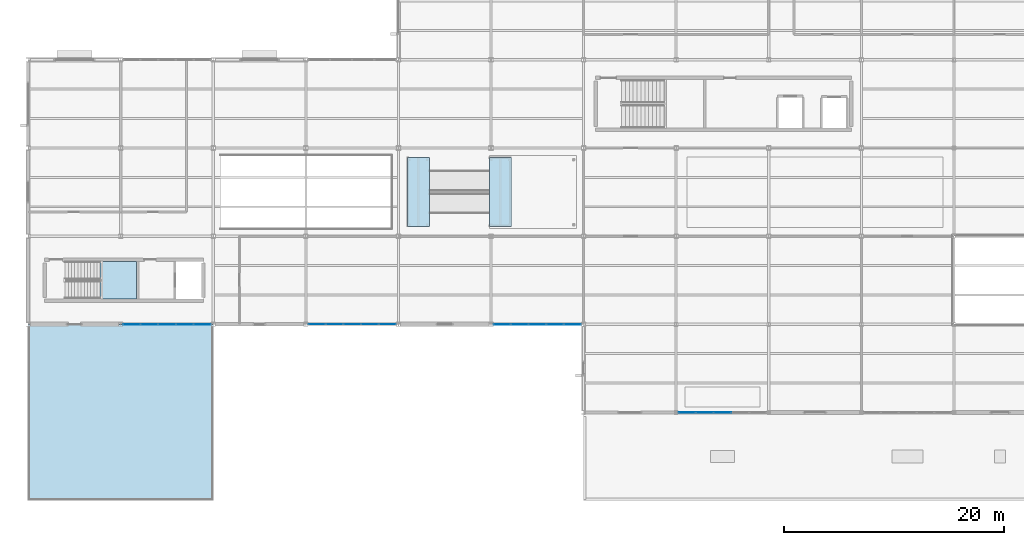
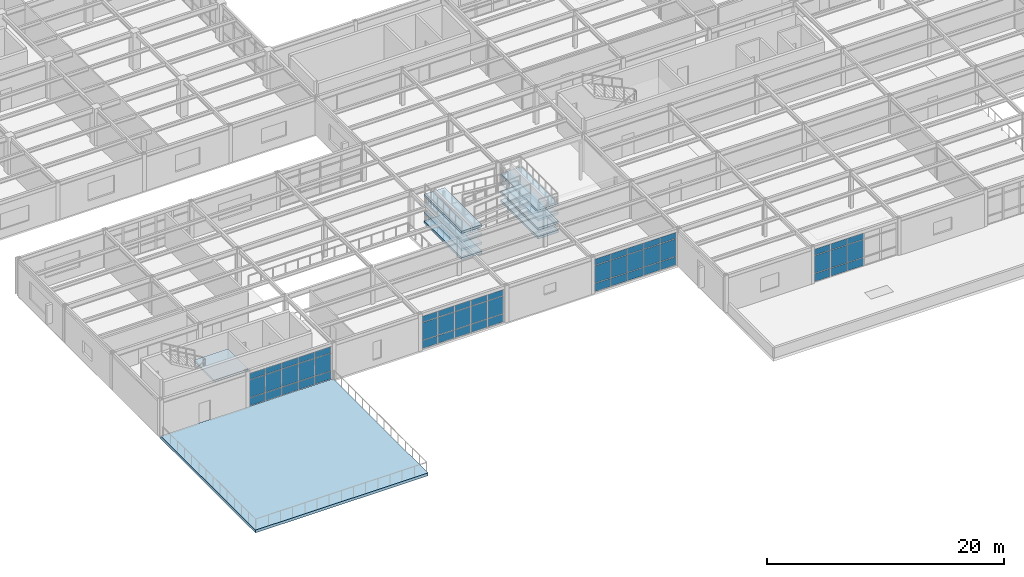
# One storey, part 56 of 138: 54 plates, 10 slabs, 6 elements without a shape of their own.
"""IFC4 building model written with IfcOpenShell, lengths in metres."""

from ifc_helpers import new_model, si_unit, direction, frame, origin, origin_2d, place, context, subcontext, project, spatial, polyline, rectangle, outline, extrude, material, layer, layer_set, type_object, element, aggregate, save


model = new_model("IFC4")

# Units and contexts
model_context = context("Model", 3, precision=1e-05, world=origin(), true_north=direction((0.0, 1.0)))
body_context = subcontext(model_context, "Body", "Model", "MODEL_VIEW")
ifc_project = project(units=[si_unit("LENGTHUNIT", "METRE"), si_unit("AREAUNIT", "SQUARE_METRE"), si_unit("VOLUMEUNIT", "CUBIC_METRE"), si_unit("PLANEANGLEUNIT", "RADIAN"), si_unit("MASSUNIT", "GRAM", prefix="KILO")], contexts=[model_context])

# Site, building, storey
site_placement = place(None, origin())
site = spatial("IfcSite", under=ifc_project, at=site_placement, CompositionType="ELEMENT")
building_placement = place(site_placement, origin())
building = spatial("IfcBuilding", under=site, at=building_placement, Name="Kranzveld Transit Interchange", CompositionType="ELEMENT")
storey_placement = place(building_placement, frame((0.0, 0.0, 5.43994140625)))
storey = spatial("IfcBuildingStorey", under=building, at=storey_placement, Name="L01", CompositionType="ELEMENT", Elevation=5.43994140625)

# Curtain wall, plates
ifc_material_1 = material(Name="Bronze-anodised thermally broken aluminium", Category="aluminium")
ifc_layer_1 = layer(ifc_material_1, 0.14990234375)
ifc_layer_set_1 = layer_set([ifc_layer_1], Name="Bronze-anodised thermally broken aluminium")
curtain_wall_type_1 = type_object("IfcCurtainWallType", Name="Public Passage Clerestory Screen CW-4", PredefinedType="USERDEFINED", material=ifc_layer_set_1)
curtain_wall_1_placement = place(storey_placement, origin())
curtain_wall_1 = element("IfcCurtainWall", 1, at=curtain_wall_1_placement, inside=storey, type_object=curtain_wall_type_1, Name="L01 Curtain Wall 02/C-03/C", ObjectType="CURTAIN WALL", PredefinedType="USERDEFINED")
ifc_material_2 = material(Name="Solar-control double glazing", Category="glass")
ifc_layer_2 = layer(ifc_material_2, 0.0419921875)
ifc_layer_set_2 = layer_set([ifc_layer_2], Name="Solar-control double glazing")
plate_type_1 = type_object("IfcPlateType", Name="Curtain Panel Laminated Glazing 42", PredefinedType="CURTAIN_PANEL", material=ifc_layer_set_2)
plate_1_placement = place(storey_placement, frame((9.40478515625, 16.0, 0.06005859375), z_axis=(0.0, 0.0, 1.0), x_axis=(1.0, 0.0, 0.0)))
plate_1 = element("IfcPlate", 2, at=plate_1_placement, type_object=plate_type_1, Name="CW-4 panel 1.1", PredefinedType="CURTAIN_PANEL", context=body_context, shape_type="SweptSolid", body=[
    extrude(rectangle(XDim=1.51513671875, YDim=0.0419921875, at=origin_2d()), origin(), (0.0, 0.0, 1.0), 0.81005859375),
])
plate_2_placement = place(storey_placement, frame((9.40478515625, 16.0, 0.929931640625), z_axis=(0.0, 0.0, 1.0), x_axis=(1.0, 0.0, 0.0)))
plate_2 = element("IfcPlate", 3, at=plate_2_placement, type_object=plate_type_1, Name="CW-4 panel 1.2", PredefinedType="CURTAIN_PANEL", context=body_context, shape_type="SweptSolid", body=[
    extrude(rectangle(XDim=1.51513671875, YDim=0.0419921875, at=origin_2d()), origin(), (0.0, 0.0, 1.0), 1.7900390625),
])
plate_3_placement = place(storey_placement, frame((9.40478515625, 16.0, 2.77978515625), z_axis=(0.0, 0.0, 1.0), x_axis=(1.0, 0.0, 0.0)))
plate_3 = element("IfcPlate", 4, at=plate_3_placement, type_object=plate_type_1, Name="CW-4 panel 1.3", PredefinedType="CURTAIN_PANEL", context=body_context, shape_type="SweptSolid", body=[
    extrude(rectangle(XDim=1.51513671875, YDim=0.0419921875, at=origin_2d()), origin(), (0.0, 0.0, 1.0), 0.610107421875),
])
plate_4_placement = place(storey_placement, frame((10.994873046875, 16.0, 0.06005859375), z_axis=(0.0, 0.0, 1.0), x_axis=(1.0, 0.0, 0.0)))
plate_4 = element("IfcPlate", 5, at=plate_4_placement, type_object=plate_type_1, Name="CW-4 panel 2.1", PredefinedType="CURTAIN_PANEL", context=body_context, shape_type="SweptSolid", body=[
    extrude(rectangle(XDim=1.545166015625, YDim=0.0419921875, at=origin_2d()), origin(), (0.0, 0.0, 1.0), 0.81005859375),
])
plate_5_placement = place(storey_placement, frame((10.994873046875, 16.0, 0.929931640625), z_axis=(0.0, 0.0, 1.0), x_axis=(1.0, 0.0, 0.0)))
plate_5 = element("IfcPlate", 6, at=plate_5_placement, type_object=plate_type_1, Name="CW-4 panel 2.2", PredefinedType="CURTAIN_PANEL", context=body_context, shape_type="SweptSolid", body=[
    extrude(rectangle(XDim=1.545166015625, YDim=0.0419921875, at=origin_2d()), origin(), (0.0, 0.0, 1.0), 1.7900390625),
])
plate_6_placement = place(storey_placement, frame((10.994873046875, 16.0, 2.77978515625), z_axis=(0.0, 0.0, 1.0), x_axis=(1.0, 0.0, 0.0)))
plate_6 = element("IfcPlate", 7, at=plate_6_placement, type_object=plate_type_1, Name="CW-4 panel 2.3", PredefinedType="CURTAIN_PANEL", context=body_context, shape_type="SweptSolid", body=[
    extrude(rectangle(XDim=1.545166015625, YDim=0.0419921875, at=origin_2d()), origin(), (0.0, 0.0, 1.0), 0.610107421875),
])
plate_7_placement = place(storey_placement, frame((12.60009765625, 16.0, 0.06005859375), z_axis=(0.0, 0.0, 1.0), x_axis=(1.0, 0.0, 0.0)))
plate_7 = element("IfcPlate", 8, at=plate_7_placement, type_object=plate_type_1, Name="CW-4 panel 3.1", PredefinedType="CURTAIN_PANEL", context=body_context, shape_type="SweptSolid", body=[
    extrude(rectangle(XDim=1.545166015625, YDim=0.0419921875, at=origin_2d()), origin(), (0.0, 0.0, 1.0), 0.81005859375),
])
plate_8_placement = place(storey_placement, frame((12.60009765625, 16.0, 0.929931640625), z_axis=(0.0, 0.0, 1.0), x_axis=(1.0, 0.0, 0.0)))
plate_8 = element("IfcPlate", 9, at=plate_8_placement, type_object=plate_type_1, Name="CW-4 panel 3.2", PredefinedType="CURTAIN_PANEL", context=body_context, shape_type="SweptSolid", body=[
    extrude(rectangle(XDim=1.545166015625, YDim=0.0419921875, at=origin_2d()), origin(), (0.0, 0.0, 1.0), 1.7900390625),
])
plate_9_placement = place(storey_placement, frame((12.60009765625, 16.0, 2.77978515625), z_axis=(0.0, 0.0, 1.0), x_axis=(1.0, 0.0, 0.0)))
plate_9 = element("IfcPlate", 10, at=plate_9_placement, type_object=plate_type_1, Name="CW-4 panel 3.3", PredefinedType="CURTAIN_PANEL", context=body_context, shape_type="SweptSolid", body=[
    extrude(rectangle(XDim=1.545166015625, YDim=0.0419921875, at=origin_2d()), origin(), (0.0, 0.0, 1.0), 0.610107421875),
])
plate_10_placement = place(storey_placement, frame((14.205078125, 16.0, 0.06005859375), z_axis=(0.0, 0.0, 1.0), x_axis=(1.0, 0.0, 0.0)))
plate_10 = element("IfcPlate", 11, at=plate_10_placement, type_object=plate_type_1, Name="CW-4 panel 4.1", PredefinedType="CURTAIN_PANEL", context=body_context, shape_type="SweptSolid", body=[
    extrude(rectangle(XDim=1.545166015625, YDim=0.0419921875, at=origin_2d()), origin(), (0.0, 0.0, 1.0), 0.81005859375),
])
plate_11_placement = place(storey_placement, frame((14.205078125, 16.0, 0.929931640625), z_axis=(0.0, 0.0, 1.0), x_axis=(1.0, 0.0, 0.0)))
plate_11 = element("IfcPlate", 12, at=plate_11_placement, type_object=plate_type_1, Name="CW-4 panel 4.2", PredefinedType="CURTAIN_PANEL", context=body_context, shape_type="SweptSolid", body=[
    extrude(rectangle(XDim=1.545166015625, YDim=0.0419921875, at=origin_2d()), origin(), (0.0, 0.0, 1.0), 1.7900390625),
])
plate_12_placement = place(storey_placement, frame((14.205078125, 16.0, 2.77978515625), z_axis=(0.0, 0.0, 1.0), x_axis=(1.0, 0.0, 0.0)))
plate_12 = element("IfcPlate", 13, at=plate_12_placement, type_object=plate_type_1, Name="CW-4 panel 4.3", PredefinedType="CURTAIN_PANEL", context=body_context, shape_type="SweptSolid", body=[
    extrude(rectangle(XDim=1.545166015625, YDim=0.0419921875, at=origin_2d()), origin(), (0.0, 0.0, 1.0), 0.610107421875),
])
plate_13_placement = place(storey_placement, frame((15.795166015625, 16.0, 0.06005859375), z_axis=(0.0, 0.0, 1.0), x_axis=(1.0, 0.0, 0.0)))
plate_13 = element("IfcPlate", 14, at=plate_13_placement, type_object=plate_type_1, Name="CW-4 panel 5.1", PredefinedType="CURTAIN_PANEL", context=body_context, shape_type="SweptSolid", body=[
    extrude(rectangle(XDim=1.51513671875, YDim=0.0419921875, at=origin_2d()), origin(), (0.0, 0.0, 1.0), 0.81005859375),
])
plate_14_placement = place(storey_placement, frame((15.795166015625, 16.0, 0.929931640625), z_axis=(0.0, 0.0, 1.0), x_axis=(1.0, 0.0, 0.0)))
plate_14 = element("IfcPlate", 15, at=plate_14_placement, type_object=plate_type_1, Name="CW-4 panel 5.2", PredefinedType="CURTAIN_PANEL", context=body_context, shape_type="SweptSolid", body=[
    extrude(rectangle(XDim=1.51513671875, YDim=0.0419921875, at=origin_2d()), origin(), (0.0, 0.0, 1.0), 1.7900390625),
])
plate_15_placement = place(storey_placement, frame((15.795166015625, 16.0, 2.77978515625), z_axis=(0.0, 0.0, 1.0), x_axis=(1.0, 0.0, 0.0)))
plate_15 = element("IfcPlate", 16, at=plate_15_placement, type_object=plate_type_1, Name="CW-4 panel 5.3", PredefinedType="CURTAIN_PANEL", context=body_context, shape_type="SweptSolid", body=[
    extrude(rectangle(XDim=1.51513671875, YDim=0.0419921875, at=origin_2d()), origin(), (0.0, 0.0, 1.0), 0.610107421875),
])
aggregate(curtain_wall_1, [plate_1, plate_2, plate_3, plate_4, plate_5, plate_6, plate_7, plate_8, plate_9, plate_10, plate_11, plate_12, plate_13, plate_14, plate_15])

ifc_material_3 = material(Name="Bronze-anodised thermally broken aluminium", Category="aluminium")
ifc_layer_3 = layer(ifc_material_3, 0.18505859375)
ifc_layer_set_3 = layer_set([ifc_layer_3], Name="Bronze-anodised thermally broken aluminium")
curtain_wall_type_2 = type_object("IfcCurtainWallType", Name="Control Crown Observation Facade CW-5", PredefinedType="USERDEFINED", material=ifc_layer_set_3)
curtain_wall_2_placement = place(storey_placement, origin())
curtain_wall_2 = element("IfcCurtainWall", 17, at=curtain_wall_2_placement, inside=storey, type_object=curtain_wall_type_2, Name="L01 Curtain Wall 04/C-05/C", ObjectType="CURTAIN WALL", PredefinedType="USERDEFINED")
ifc_material_4 = material(Name="Solar-control double glazing", Category="glass")
ifc_layer_4 = layer(ifc_material_4, 0.035888671875)
ifc_layer_set_4 = layer_set([ifc_layer_4], Name="Solar-control double glazing")
plate_type_2 = type_object("IfcPlateType", Name="Curtain Panel Triple Glazing 36", PredefinedType="CURTAIN_PANEL", material=ifc_layer_set_4)
plate_16_placement = place(storey_placement, frame((26.2060546875, 16.0, 0.06494140625), z_axis=(0.0, 0.0, 1.0), x_axis=(1.0, 0.0, 0.0)))
plate_16 = element("IfcPlate", 18, at=plate_16_placement, type_object=plate_type_2, Name="CW-5 panel 1.1", PredefinedType="CURTAIN_PANEL", context=body_context, shape_type="SweptSolid", body=[
    extrude(rectangle(XDim=1.507568359375, YDim=0.035888671875, at=origin_2d()), origin(), (0.0, 0.0, 1.0), 0.802490234375),
])
plate_17_placement = place(storey_placement, frame((26.2060546875, 16.0, 0.9326171875), z_axis=(0.0, 0.0, 1.0), x_axis=(1.0, 0.0, 0.0)))
plate_17 = element("IfcPlate", 19, at=plate_17_placement, type_object=plate_type_2, Name="CW-5 panel 1.2", PredefinedType="CURTAIN_PANEL", context=body_context, shape_type="SweptSolid", body=[
    extrude(rectangle(XDim=1.507568359375, YDim=0.035888671875, at=origin_2d()), origin(), (0.0, 0.0, 1.0), 1.784912109375),
])
plate_18_placement = place(storey_placement, frame((26.2060546875, 16.0, 2.782470703125), z_axis=(0.0, 0.0, 1.0), x_axis=(1.0, 0.0, 0.0)))
plate_18 = element("IfcPlate", 20, at=plate_18_placement, type_object=plate_type_2, Name="CW-5 panel 1.3", PredefinedType="CURTAIN_PANEL", context=body_context, shape_type="SweptSolid", body=[
    extrude(rectangle(XDim=1.507568359375, YDim=0.035888671875, at=origin_2d()), origin(), (0.0, 0.0, 1.0), 0.6025390625),
])
plate_19_placement = place(storey_placement, frame((27.794921875, 16.0, 0.06494140625), z_axis=(0.0, 0.0, 1.0), x_axis=(1.0, 0.0, 0.0)))
plate_19 = element("IfcPlate", 21, at=plate_19_placement, type_object=plate_type_2, Name="CW-5 panel 2.1", PredefinedType="CURTAIN_PANEL", context=body_context, shape_type="SweptSolid", body=[
    extrude(rectangle(XDim=1.5400390625, YDim=0.035888671875, at=origin_2d()), origin(), (0.0, 0.0, 1.0), 0.802490234375),
])
plate_20_placement = place(storey_placement, frame((27.794921875, 16.0, 0.9326171875), z_axis=(0.0, 0.0, 1.0), x_axis=(1.0, 0.0, 0.0)))
plate_20 = element("IfcPlate", 22, at=plate_20_placement, type_object=plate_type_2, Name="CW-5 panel 2.2", PredefinedType="CURTAIN_PANEL", context=body_context, shape_type="SweptSolid", body=[
    extrude(rectangle(XDim=1.5400390625, YDim=0.035888671875, at=origin_2d()), origin(), (0.0, 0.0, 1.0), 1.784912109375),
])
plate_21_placement = place(storey_placement, frame((27.794921875, 16.0, 2.782470703125), z_axis=(0.0, 0.0, 1.0), x_axis=(1.0, 0.0, 0.0)))
plate_21 = element("IfcPlate", 23, at=plate_21_placement, type_object=plate_type_2, Name="CW-5 panel 2.3", PredefinedType="CURTAIN_PANEL", context=body_context, shape_type="SweptSolid", body=[
    extrude(rectangle(XDim=1.5400390625, YDim=0.035888671875, at=origin_2d()), origin(), (0.0, 0.0, 1.0), 0.6025390625),
])
plate_22_placement = place(storey_placement, frame((29.39990234375, 16.0, 0.06494140625), z_axis=(0.0, 0.0, 1.0), x_axis=(1.0, 0.0, 0.0)))
plate_22 = element("IfcPlate", 24, at=plate_22_placement, type_object=plate_type_2, Name="CW-5 panel 3.1", PredefinedType="CURTAIN_PANEL", context=body_context, shape_type="SweptSolid", body=[
    extrude(rectangle(XDim=1.5400390625, YDim=0.035888671875, at=origin_2d()), origin(), (0.0, 0.0, 1.0), 0.802490234375),
])
plate_23_placement = place(storey_placement, frame((29.39990234375, 16.0, 0.9326171875), z_axis=(0.0, 0.0, 1.0), x_axis=(1.0, 0.0, 0.0)))
plate_23 = element("IfcPlate", 25, at=plate_23_placement, type_object=plate_type_2, Name="CW-5 panel 3.2", PredefinedType="CURTAIN_PANEL", context=body_context, shape_type="SweptSolid", body=[
    extrude(rectangle(XDim=1.5400390625, YDim=0.035888671875, at=origin_2d()), origin(), (0.0, 0.0, 1.0), 1.784912109375),
])
plate_24_placement = place(storey_placement, frame((29.39990234375, 16.0, 2.782470703125), z_axis=(0.0, 0.0, 1.0), x_axis=(1.0, 0.0, 0.0)))
plate_24 = element("IfcPlate", 26, at=plate_24_placement, type_object=plate_type_2, Name="CW-5 panel 3.3", PredefinedType="CURTAIN_PANEL", context=body_context, shape_type="SweptSolid", body=[
    extrude(rectangle(XDim=1.5400390625, YDim=0.035888671875, at=origin_2d()), origin(), (0.0, 0.0, 1.0), 0.6025390625),
])
plate_25_placement = place(storey_placement, frame((31.005126953125, 16.0, 0.06494140625), z_axis=(0.0, 0.0, 1.0), x_axis=(1.0, 0.0, 0.0)))
plate_25 = element("IfcPlate", 27, at=plate_25_placement, type_object=plate_type_2, Name="CW-5 panel 4.1", PredefinedType="CURTAIN_PANEL", context=body_context, shape_type="SweptSolid", body=[
    extrude(rectangle(XDim=1.5400390625, YDim=0.035888671875, at=origin_2d()), origin(), (0.0, 0.0, 1.0), 0.802490234375),
])
plate_26_placement = place(storey_placement, frame((31.005126953125, 16.0, 0.9326171875), z_axis=(0.0, 0.0, 1.0), x_axis=(1.0, 0.0, 0.0)))
plate_26 = element("IfcPlate", 28, at=plate_26_placement, type_object=plate_type_2, Name="CW-5 panel 4.2", PredefinedType="CURTAIN_PANEL", context=body_context, shape_type="SweptSolid", body=[
    extrude(rectangle(XDim=1.5400390625, YDim=0.035888671875, at=origin_2d()), origin(), (0.0, 0.0, 1.0), 1.784912109375),
])
plate_27_placement = place(storey_placement, frame((31.005126953125, 16.0, 2.782470703125), z_axis=(0.0, 0.0, 1.0), x_axis=(1.0, 0.0, 0.0)))
plate_27 = element("IfcPlate", 29, at=plate_27_placement, type_object=plate_type_2, Name="CW-5 panel 4.3", PredefinedType="CURTAIN_PANEL", context=body_context, shape_type="SweptSolid", body=[
    extrude(rectangle(XDim=1.5400390625, YDim=0.035888671875, at=origin_2d()), origin(), (0.0, 0.0, 1.0), 0.6025390625),
])
plate_28_placement = place(storey_placement, frame((32.593994140625, 16.0, 0.06494140625), z_axis=(0.0, 0.0, 1.0), x_axis=(1.0, 0.0, 0.0)))
plate_28 = element("IfcPlate", 30, at=plate_28_placement, type_object=plate_type_2, Name="CW-5 panel 5.1", PredefinedType="CURTAIN_PANEL", context=body_context, shape_type="SweptSolid", body=[
    extrude(rectangle(XDim=1.507568359375, YDim=0.035888671875, at=origin_2d()), origin(), (0.0, 0.0, 1.0), 0.802490234375),
])
plate_29_placement = place(storey_placement, frame((32.593994140625, 16.0, 0.9326171875), z_axis=(0.0, 0.0, 1.0), x_axis=(1.0, 0.0, 0.0)))
plate_29 = element("IfcPlate", 31, at=plate_29_placement, type_object=plate_type_2, Name="CW-5 panel 5.2", PredefinedType="CURTAIN_PANEL", context=body_context, shape_type="SweptSolid", body=[
    extrude(rectangle(XDim=1.507568359375, YDim=0.035888671875, at=origin_2d()), origin(), (0.0, 0.0, 1.0), 1.784912109375),
])
plate_30_placement = place(storey_placement, frame((32.593994140625, 16.0, 2.782470703125), z_axis=(0.0, 0.0, 1.0), x_axis=(1.0, 0.0, 0.0)))
plate_30 = element("IfcPlate", 32, at=plate_30_placement, type_object=plate_type_2, Name="CW-5 panel 5.3", PredefinedType="CURTAIN_PANEL", context=body_context, shape_type="SweptSolid", body=[
    extrude(rectangle(XDim=1.507568359375, YDim=0.035888671875, at=origin_2d()), origin(), (0.0, 0.0, 1.0), 0.6025390625),
])
aggregate(curtain_wall_2, [plate_16, plate_17, plate_18, plate_19, plate_20, plate_21, plate_22, plate_23, plate_24, plate_25, plate_26, plate_27, plate_28, plate_29, plate_30])

ifc_material_5 = material(Name="Bronze-anodised thermally broken aluminium", Category="aluminium")
ifc_layer_5 = layer(ifc_material_5, 0.155029296875)
ifc_layer_set_5 = layer_set([ifc_layer_5], Name="Bronze-anodised thermally broken aluminium")
curtain_wall_type_3 = type_object("IfcCurtainWallType", Name="Operations Courtyard Glazed Screen CW-6", PredefinedType="USERDEFINED", material=ifc_layer_set_5)
curtain_wall_3_placement = place(storey_placement, origin())
curtain_wall_3 = element("IfcCurtainWall", 33, at=curtain_wall_3_placement, inside=storey, type_object=curtain_wall_type_3, Name="L01 Curtain Wall 06/C-07/C", ObjectType="CURTAIN WALL", PredefinedType="USERDEFINED")
ifc_material_6 = material(Name="Ochre Pretoria sandstone cladding, 45 MPa", Category="masonry")
ifc_layer_6 = layer(ifc_material_6, 0.0458984375)
ifc_layer_set_6 = layer_set([ifc_layer_6], Name="Ochre Pretoria sandstone cladding, 45 MPa")
plate_type_3 = type_object("IfcPlateType", Name="Curtain Spandrel Sandstone 46", PredefinedType="CURTAIN_PANEL", material=ifc_layer_set_6)
plate_31_placement = place(storey_placement, frame((43.006103515625, 16.0, 0.06005859375), z_axis=(0.0, 0.0, 1.0), x_axis=(1.0, 0.0, 0.0)))
plate_31 = element("IfcPlate", 34, at=plate_31_placement, type_object=plate_type_3, Name="CW-6 panel 1.1", PredefinedType="CURTAIN_PANEL", context=body_context, shape_type="SweptSolid", body=[
    extrude(rectangle(XDim=1.507568359375, YDim=0.0458984375, at=origin_2d()), origin(), (0.0, 0.0, 1.0), 0.81005859375),
])
plate_32_placement = place(storey_placement, frame((43.006103515625, 16.0, 0.929931640625), z_axis=(0.0, 0.0, 1.0), x_axis=(1.0, 0.0, 0.0)))
plate_32 = element("IfcPlate", 35, at=plate_32_placement, type_object=plate_type_3, Name="CW-6 panel 1.2", PredefinedType="CURTAIN_PANEL", context=body_context, shape_type="SweptSolid", body=[
    extrude(rectangle(XDim=1.507568359375, YDim=0.0458984375, at=origin_2d()), origin(), (0.0, 0.0, 1.0), 1.7900390625),
])
plate_33_placement = place(storey_placement, frame((43.006103515625, 16.0, 2.77978515625), z_axis=(0.0, 0.0, 1.0), x_axis=(1.0, 0.0, 0.0)))
plate_33 = element("IfcPlate", 36, at=plate_33_placement, type_object=plate_type_3, Name="CW-6 panel 1.3", PredefinedType="CURTAIN_PANEL", context=body_context, shape_type="SweptSolid", body=[
    extrude(rectangle(XDim=1.507568359375, YDim=0.0458984375, at=origin_2d()), origin(), (0.0, 0.0, 1.0), 0.610107421875),
])
plate_34_placement = place(storey_placement, frame((44.594970703125, 16.0, 0.06005859375), z_axis=(0.0, 0.0, 1.0), x_axis=(1.0, 0.0, 0.0)))
plate_34 = element("IfcPlate", 37, at=plate_34_placement, type_object=plate_type_3, Name="CW-6 panel 2.1", PredefinedType="CURTAIN_PANEL", context=body_context, shape_type="SweptSolid", body=[
    extrude(rectangle(XDim=1.5400390625, YDim=0.0458984375, at=origin_2d()), origin(), (0.0, 0.0, 1.0), 0.81005859375),
])
plate_35_placement = place(storey_placement, frame((44.594970703125, 16.0, 0.929931640625), z_axis=(0.0, 0.0, 1.0), x_axis=(1.0, 0.0, 0.0)))
plate_35 = element("IfcPlate", 38, at=plate_35_placement, type_object=plate_type_3, Name="CW-6 panel 2.2", PredefinedType="CURTAIN_PANEL", context=body_context, shape_type="SweptSolid", body=[
    extrude(rectangle(XDim=1.5400390625, YDim=0.0458984375, at=origin_2d()), origin(), (0.0, 0.0, 1.0), 1.7900390625),
])
plate_36_placement = place(storey_placement, frame((44.594970703125, 16.0, 2.77978515625), z_axis=(0.0, 0.0, 1.0), x_axis=(1.0, 0.0, 0.0)))
plate_36 = element("IfcPlate", 39, at=plate_36_placement, type_object=plate_type_3, Name="CW-6 panel 2.3", PredefinedType="CURTAIN_PANEL", context=body_context, shape_type="SweptSolid", body=[
    extrude(rectangle(XDim=1.5400390625, YDim=0.0458984375, at=origin_2d()), origin(), (0.0, 0.0, 1.0), 0.610107421875),
])
plate_37_placement = place(storey_placement, frame((46.199951171875, 16.0, 0.06005859375), z_axis=(0.0, 0.0, 1.0), x_axis=(1.0, 0.0, 0.0)))
plate_37 = element("IfcPlate", 40, at=plate_37_placement, type_object=plate_type_3, Name="CW-6 panel 3.1", PredefinedType="CURTAIN_PANEL", context=body_context, shape_type="SweptSolid", body=[
    extrude(rectangle(XDim=1.5400390625, YDim=0.0458984375, at=origin_2d()), origin(), (0.0, 0.0, 1.0), 0.81005859375),
])
plate_38_placement = place(storey_placement, frame((46.199951171875, 16.0, 0.929931640625), z_axis=(0.0, 0.0, 1.0), x_axis=(1.0, 0.0, 0.0)))
plate_38 = element("IfcPlate", 41, at=plate_38_placement, type_object=plate_type_3, Name="CW-6 panel 3.2", PredefinedType="CURTAIN_PANEL", context=body_context, shape_type="SweptSolid", body=[
    extrude(rectangle(XDim=1.5400390625, YDim=0.0458984375, at=origin_2d()), origin(), (0.0, 0.0, 1.0), 1.7900390625),
])
plate_39_placement = place(storey_placement, frame((46.199951171875, 16.0, 2.77978515625), z_axis=(0.0, 0.0, 1.0), x_axis=(1.0, 0.0, 0.0)))
plate_39 = element("IfcPlate", 42, at=plate_39_placement, type_object=plate_type_3, Name="CW-6 panel 3.3", PredefinedType="CURTAIN_PANEL", context=body_context, shape_type="SweptSolid", body=[
    extrude(rectangle(XDim=1.5400390625, YDim=0.0458984375, at=origin_2d()), origin(), (0.0, 0.0, 1.0), 0.610107421875),
])
plate_40_placement = place(storey_placement, frame((47.80517578125, 16.0, 0.06005859375), z_axis=(0.0, 0.0, 1.0), x_axis=(1.0, 0.0, 0.0)))
plate_40 = element("IfcPlate", 43, at=plate_40_placement, type_object=plate_type_3, Name="CW-6 panel 4.1", PredefinedType="CURTAIN_PANEL", context=body_context, shape_type="SweptSolid", body=[
    extrude(rectangle(XDim=1.5400390625, YDim=0.0458984375, at=origin_2d()), origin(), (0.0, 0.0, 1.0), 0.81005859375),
])
plate_41_placement = place(storey_placement, frame((47.80517578125, 16.0, 0.929931640625), z_axis=(0.0, 0.0, 1.0), x_axis=(1.0, 0.0, 0.0)))
plate_41 = element("IfcPlate", 44, at=plate_41_placement, type_object=plate_type_3, Name="CW-6 panel 4.2", PredefinedType="CURTAIN_PANEL", context=body_context, shape_type="SweptSolid", body=[
    extrude(rectangle(XDim=1.5400390625, YDim=0.0458984375, at=origin_2d()), origin(), (0.0, 0.0, 1.0), 1.7900390625),
])
plate_42_placement = place(storey_placement, frame((47.80517578125, 16.0, 2.77978515625), z_axis=(0.0, 0.0, 1.0), x_axis=(1.0, 0.0, 0.0)))
plate_42 = element("IfcPlate", 45, at=plate_42_placement, type_object=plate_type_3, Name="CW-6 panel 4.3", PredefinedType="CURTAIN_PANEL", context=body_context, shape_type="SweptSolid", body=[
    extrude(rectangle(XDim=1.5400390625, YDim=0.0458984375, at=origin_2d()), origin(), (0.0, 0.0, 1.0), 0.610107421875),
])
plate_43_placement = place(storey_placement, frame((49.393798828125, 16.0, 0.06005859375), z_axis=(0.0, 0.0, 1.0), x_axis=(1.0, 0.0, 0.0)))
plate_43 = element("IfcPlate", 46, at=plate_43_placement, type_object=plate_type_3, Name="CW-6 panel 5.1", PredefinedType="CURTAIN_PANEL", context=body_context, shape_type="SweptSolid", body=[
    extrude(rectangle(XDim=1.507568359375, YDim=0.0458984375, at=origin_2d()), origin(), (0.0, 0.0, 1.0), 0.81005859375),
])
plate_44_placement = place(storey_placement, frame((49.393798828125, 16.0, 0.929931640625), z_axis=(0.0, 0.0, 1.0), x_axis=(1.0, 0.0, 0.0)))
plate_44 = element("IfcPlate", 47, at=plate_44_placement, type_object=plate_type_3, Name="CW-6 panel 5.2", PredefinedType="CURTAIN_PANEL", context=body_context, shape_type="SweptSolid", body=[
    extrude(rectangle(XDim=1.507568359375, YDim=0.0458984375, at=origin_2d()), origin(), (0.0, 0.0, 1.0), 1.7900390625),
])
plate_45_placement = place(storey_placement, frame((49.393798828125, 16.0, 2.77978515625), z_axis=(0.0, 0.0, 1.0), x_axis=(1.0, 0.0, 0.0)))
plate_45 = element("IfcPlate", 48, at=plate_45_placement, type_object=plate_type_3, Name="CW-6 panel 5.3", PredefinedType="CURTAIN_PANEL", context=body_context, shape_type="SweptSolid", body=[
    extrude(rectangle(XDim=1.507568359375, YDim=0.0458984375, at=origin_2d()), origin(), (0.0, 0.0, 1.0), 0.610107421875),
])
aggregate(curtain_wall_3, [plate_31, plate_32, plate_33, plate_34, plate_35, plate_36, plate_37, plate_38, plate_39, plate_40, plate_41, plate_42, plate_43, plate_44, plate_45])

curtain_wall_4_placement = place(storey_placement, origin())
curtain_wall_4 = element("IfcCurtainWall", 49, at=curtain_wall_4_placement, inside=storey, type_object=curtain_wall_type_3, Name="L01 Curtain Wall 08/B-09/B", ObjectType="CURTAIN WALL", PredefinedType="USERDEFINED")
plate_46_placement = place(storey_placement, frame((59.780029296875, 8.0, 0.06005859375), z_axis=(0.0, 0.0, 1.0), x_axis=(1.0, 0.0, 0.0)))
plate_46 = element("IfcPlate", 50, at=plate_46_placement, type_object=plate_type_3, Name="CW-6 panel 1.1", PredefinedType="CURTAIN_PANEL", context=body_context, shape_type="SweptSolid", body=[
    extrude(rectangle(XDim=1.520751953125, YDim=0.0458984375, at=origin_2d()), origin(), (0.0, 0.0, 1.0), 0.81005859375),
])
plate_47_placement = place(storey_placement, frame((59.780029296875, 8.0, 0.929931640625), z_axis=(0.0, 0.0, 1.0), x_axis=(1.0, 0.0, 0.0)))
plate_47 = element("IfcPlate", 51, at=plate_47_placement, type_object=plate_type_3, Name="CW-6 panel 1.2", PredefinedType="CURTAIN_PANEL", context=body_context, shape_type="SweptSolid", body=[
    extrude(rectangle(XDim=1.520751953125, YDim=0.0458984375, at=origin_2d()), origin(), (0.0, 0.0, 1.0), 1.7900390625),
])
plate_48_placement = place(storey_placement, frame((59.780029296875, 8.0, 2.77978515625), z_axis=(0.0, 0.0, 1.0), x_axis=(1.0, 0.0, 0.0)))
plate_48 = element("IfcPlate", 52, at=plate_48_placement, type_object=plate_type_3, Name="CW-6 panel 1.3", PredefinedType="CURTAIN_PANEL", context=body_context, shape_type="SweptSolid", body=[
    extrude(rectangle(XDim=1.520751953125, YDim=0.0458984375, at=origin_2d()), origin(), (0.0, 0.0, 1.0), 0.610107421875),
])
plate_49_placement = place(storey_placement, frame((61.3818359375, 8.0, 0.06005859375), z_axis=(0.0, 0.0, 1.0), x_axis=(1.0, 0.0, 0.0)))
plate_49 = element("IfcPlate", 53, at=plate_49_placement, type_object=plate_type_3, Name="CW-6 panel 2.1", PredefinedType="CURTAIN_PANEL", context=body_context, shape_type="SweptSolid", body=[
    extrude(rectangle(XDim=1.55322265625, YDim=0.0458984375, at=origin_2d()), origin(), (0.0, 0.0, 1.0), 0.81005859375),
])
plate_50_placement = place(storey_placement, frame((61.3818359375, 8.0, 0.929931640625), z_axis=(0.0, 0.0, 1.0), x_axis=(1.0, 0.0, 0.0)))
plate_50 = element("IfcPlate", 54, at=plate_50_placement, type_object=plate_type_3, Name="CW-6 panel 2.2", PredefinedType="CURTAIN_PANEL", context=body_context, shape_type="SweptSolid", body=[
    extrude(rectangle(XDim=1.55322265625, YDim=0.0458984375, at=origin_2d()), origin(), (0.0, 0.0, 1.0), 1.7900390625),
])
plate_51_placement = place(storey_placement, frame((61.3818359375, 8.0, 2.77978515625), z_axis=(0.0, 0.0, 1.0), x_axis=(1.0, 0.0, 0.0)))
plate_51 = element("IfcPlate", 55, at=plate_51_placement, type_object=plate_type_3, Name="CW-6 panel 2.3", PredefinedType="CURTAIN_PANEL", context=body_context, shape_type="SweptSolid", body=[
    extrude(rectangle(XDim=1.55322265625, YDim=0.0458984375, at=origin_2d()), origin(), (0.0, 0.0, 1.0), 0.610107421875),
])
plate_52_placement = place(storey_placement, frame((63.0, 8.0, 0.06005859375), z_axis=(0.0, 0.0, 1.0), x_axis=(1.0, 0.0, 0.0)))
plate_52 = element("IfcPlate", 56, at=plate_52_placement, type_object=plate_type_3, Name="CW-6 panel 3.1", PredefinedType="CURTAIN_PANEL", context=body_context, shape_type="SweptSolid", body=[
    extrude(rectangle(XDim=1.55322265625, YDim=0.0458984375, at=origin_2d()), origin(), (0.0, 0.0, 1.0), 0.81005859375),
])
plate_53_placement = place(storey_placement, frame((63.0, 8.0, 0.929931640625), z_axis=(0.0, 0.0, 1.0), x_axis=(1.0, 0.0, 0.0)))
plate_53 = element("IfcPlate", 57, at=plate_53_placement, type_object=plate_type_3, Name="CW-6 panel 3.2", PredefinedType="CURTAIN_PANEL", context=body_context, shape_type="SweptSolid", body=[
    extrude(rectangle(XDim=1.55322265625, YDim=0.0458984375, at=origin_2d()), origin(), (0.0, 0.0, 1.0), 1.7900390625),
])
plate_54_placement = place(storey_placement, frame((63.0, 8.0, 2.77978515625), z_axis=(0.0, 0.0, 1.0), x_axis=(1.0, 0.0, 0.0)))
plate_54 = element("IfcPlate", 58, at=plate_54_placement, type_object=plate_type_3, Name="CW-6 panel 3.3", PredefinedType="CURTAIN_PANEL", context=body_context, shape_type="SweptSolid", body=[
    extrude(rectangle(XDim=1.55322265625, YDim=0.0458984375, at=origin_2d()), origin(), (0.0, 0.0, 1.0), 0.610107421875),
])
aggregate(curtain_wall_4, [plate_46, plate_47, plate_48, plate_49, plate_50, plate_51, plate_52, plate_53, plate_54])

# Ramp, slabs
ifc_material_7 = material(Name="Concrete C35/45", Category="concrete")
ramp_type = type_object("IfcRampType", Name="Accessible Cycle Ramp 1:12 1850W C35/45", PredefinedType="STRAIGHT_RUN_RAMP", material=ifc_material_7)
ramp_placement = place(storey_placement, origin())
ramp = element("IfcRamp", 59, at=ramp_placement, inside=storey, type_object=ramp_type, Name="L01 Cycle Hub 1:12 Ramp RMP-2", PredefinedType="STRAIGHT_RUN_RAMP")
ifc_material_8 = material(Name="Concrete C35/45", Category="concrete")
ifc_layer_7 = layer(ifc_material_8, 0.219970703125)
ifc_layer_set_7 = layer_set([ifc_layer_7], Name="Concrete C35/45")
slab_type_1 = type_object("IfcSlabType", Name="Cycle Ramp Landing 220 C35/45", PredefinedType="LANDING", material=ifc_layer_set_7)
slab_1_placement = place(storey_placement, frame((0.0, 0.0, 0.2333984375)))
slab_1 = element("IfcSlab", 60, at=slab_1_placement, type_object=slab_type_1, Name="RMP-2 Landing 1", PredefinedType="LANDING", context=body_context, shape_type="SweptSolid", body=[
    extrude(outline(polyline([(41.840087890625, 24.85009765625), (43.840087890625, 24.85009765625), (43.840087890625, 31.14990234375), (41.840087890625, 31.14990234375), (41.840087890625, 24.85009765625)])), origin(), (0.0, 0.0, 1.0), 0.219970703125),
])
slab_2_placement = place(storey_placement, frame((0.0, 0.0, 0.686767578125)))
slab_2 = element("IfcSlab", 61, at=slab_2_placement, type_object=slab_type_1, Name="RMP-2 Landing 2", PredefinedType="LANDING", context=body_context, shape_type="SweptSolid", body=[
    extrude(outline(polyline([(34.39990234375, 24.85009765625), (36.39990234375, 24.85009765625), (36.39990234375, 31.14990234375), (34.39990234375, 31.14990234375), (34.39990234375, 24.85009765625)])), origin(), (0.0, 0.0, 1.0), 0.219970703125),
])
slab_3_placement = place(storey_placement, frame((0.0, 0.0, 1.14013671875)))
slab_3 = element("IfcSlab", 62, at=slab_3_placement, type_object=slab_type_1, Name="RMP-2 Landing 3", PredefinedType="LANDING", context=body_context, shape_type="SweptSolid", body=[
    extrude(outline(polyline([(41.840087890625, 24.85009765625), (43.840087890625, 24.85009765625), (43.840087890625, 31.14990234375), (41.840087890625, 31.14990234375), (41.840087890625, 24.85009765625)])), origin(), (0.0, 0.0, 1.0), 0.219970703125),
])
slab_4_placement = place(storey_placement, frame((0.0, 0.0, 1.593505859375)))
slab_4 = element("IfcSlab", 63, at=slab_4_placement, type_object=slab_type_1, Name="RMP-2 Landing 4", PredefinedType="LANDING", context=body_context, shape_type="SweptSolid", body=[
    extrude(outline(polyline([(34.39990234375, 24.85009765625), (36.39990234375, 24.85009765625), (36.39990234375, 31.14990234375), (34.39990234375, 31.14990234375), (34.39990234375, 24.85009765625)])), origin(), (0.0, 0.0, 1.0), 0.219970703125),
])
slab_5_placement = place(storey_placement, frame((0.0, 0.0, 2.046630859375)))
slab_5 = element("IfcSlab", 64, at=slab_5_placement, type_object=slab_type_1, Name="RMP-2 Landing 5", PredefinedType="LANDING", context=body_context, shape_type="SweptSolid", body=[
    extrude(outline(polyline([(41.840087890625, 24.85009765625), (43.840087890625, 24.85009765625), (43.840087890625, 31.14990234375), (41.840087890625, 31.14990234375), (41.840087890625, 24.85009765625)])), origin(), (0.0, 0.0, 1.0), 0.219970703125),
])
slab_6_placement = place(storey_placement, frame((0.0, 0.0, 2.5)))
slab_6 = element("IfcSlab", 65, at=slab_6_placement, type_object=slab_type_1, Name="RMP-2 Landing 6", PredefinedType="LANDING", context=body_context, shape_type="SweptSolid", body=[
    extrude(outline(polyline([(34.39990234375, 24.85009765625), (36.39990234375, 24.85009765625), (36.39990234375, 31.14990234375), (34.39990234375, 31.14990234375), (34.39990234375, 24.85009765625)])), origin(), (0.0, 0.0, 1.0), 0.219970703125),
])
slab_7_placement = place(storey_placement, frame((0.0, 0.0, 2.953369140625)))
slab_7 = element("IfcSlab", 66, at=slab_7_placement, type_object=slab_type_1, Name="RMP-2 Landing 7", PredefinedType="LANDING", context=body_context, shape_type="SweptSolid", body=[
    extrude(outline(polyline([(41.840087890625, 24.85009765625), (43.840087890625, 24.85009765625), (43.840087890625, 31.14990234375), (41.840087890625, 31.14990234375), (41.840087890625, 24.85009765625)])), origin(), (0.0, 0.0, 1.0), 0.219970703125),
])
slab_8_placement = place(storey_placement, frame((0.0, 0.0, 3.40673828125)))
slab_8 = element("IfcSlab", 67, at=slab_8_placement, type_object=slab_type_1, Name="RMP-2 Landing 8", PredefinedType="LANDING", context=body_context, shape_type="SweptSolid", body=[
    extrude(outline(polyline([(34.39990234375, 24.85009765625), (36.39990234375, 24.85009765625), (36.39990234375, 31.14990234375), (34.39990234375, 31.14990234375), (34.39990234375, 24.85009765625)])), origin(), (0.0, 0.0, 1.0), 0.219970703125),
])
aggregate(ramp, [slab_1, slab_2, slab_3, slab_4, slab_5, slab_6, slab_7, slab_8])

# Stair, slab
ifc_material_9 = material(Name="Concrete C35/45", Category="concrete")
stair_type = type_object("IfcStairType", Name="Dogleg Stair 1600W H4080 C35/45", PredefinedType="HALF_TURN_STAIR", material=ifc_material_9)
stair_placement = place(storey_placement, origin())
stair = element("IfcStair", 68, at=stair_placement, inside=storey, type_object=stair_type, Name="L01 Cycle Hub Core C7", PredefinedType="HALF_TURN_STAIR")
ifc_material_10 = material(Name="Concrete C35/45", Category="concrete")
ifc_layer_8 = layer(ifc_material_10, 0.199951171875)
ifc_layer_set_8 = layer_set([ifc_layer_8], Name="Concrete C35/45")
slab_type_2 = type_object("IfcSlabType", Name="Stair & Ramp Landing 200 C35/45", PredefinedType="LANDING", material=ifc_layer_set_8)
slab_9_placement = place(storey_placement, frame((0.0, 0.0, 1.840087890625)))
slab_9 = element("IfcSlab", 69, at=slab_9_placement, type_object=slab_type_2, Name="ST-CY1 landing 1", PredefinedType="LANDING", context=body_context, shape_type="SweptSolid", body=[
    extrude(outline(polyline([(6.5400390625, 18.284912109375), (9.85009765625, 18.284912109375), (9.85009765625, 21.715087890625), (6.5400390625, 21.715087890625), (6.5400390625, 18.284912109375)])), origin(), (0.0, 0.0, 1.0), 0.199951171875),
])
aggregate(stair, [slab_9])

# Slab
ifc_material_11 = material(Name="Concrete C35/45", Category="concrete")
ifc_layer_9 = layer(ifc_material_11, 0.2900390625)
ifc_layer_set_9 = layer_set([ifc_layer_9], Name="Concrete C35/45")
slab_type_3 = type_object("IfcSlabType", Name="Terrace Deck Slab 290 C35/45", PredefinedType="FLOOR", material=ifc_layer_set_9)
slab_10_placement = place(storey_placement, frame((0.0, 0.0, -0.2900390625)))
element("IfcSlab", 70, at=slab_10_placement, inside=storey, type_object=slab_type_3, Name="L01 Walkable Terrace TERR_L01_SW", PredefinedType="FLOOR", context=body_context, shape_type="SweptSolid", body=[
    extrude(outline(polyline([(16.800048828125, 0.0), (16.800048828125, 16.0), (0.0, 16.0), (0.0, 0.0), (16.800048828125, 0.0)])), origin(), (0.0, 0.0, 1.0), 0.2900390625),
])

save(model, "model.ifc")
